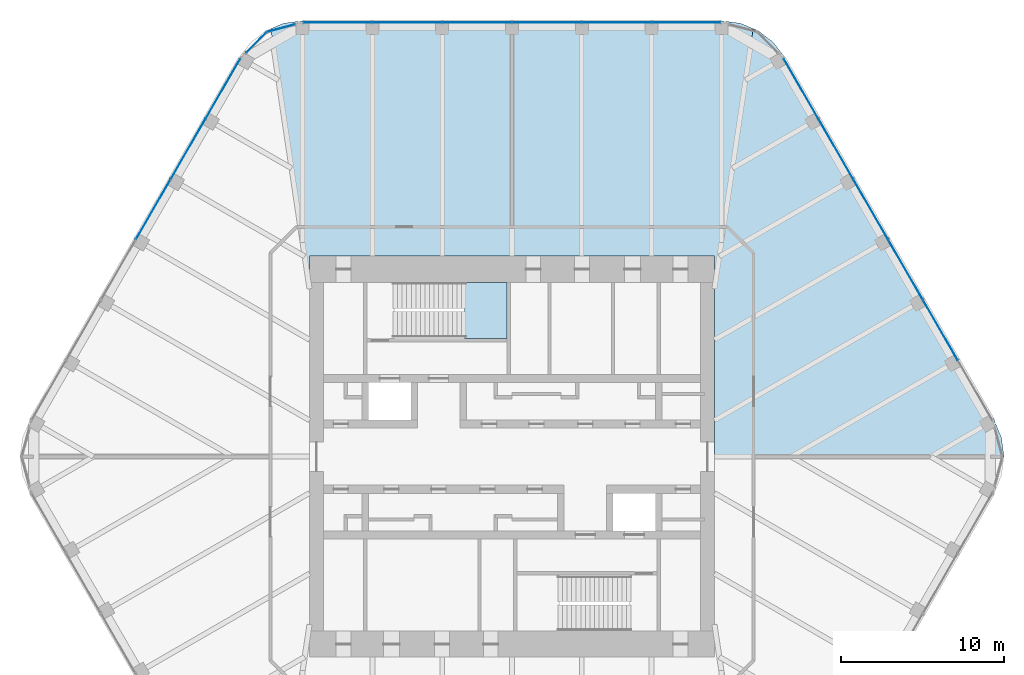
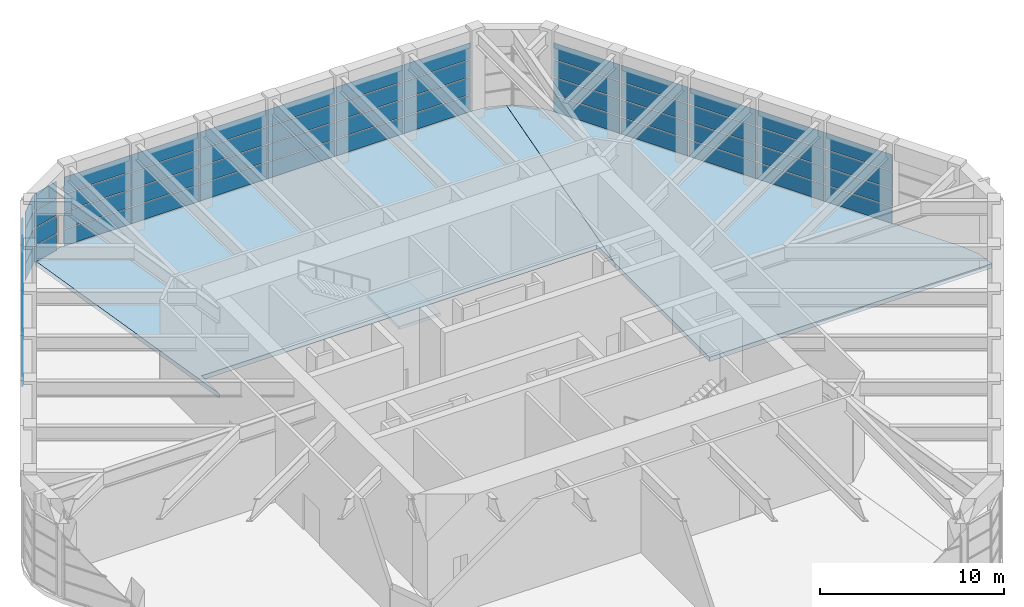
# One storey, part 12 of 16: 62 plates, 3 slabs, 6 elements without a shape of their own.
"""IFC4 building model written with IfcOpenShell, lengths in metres."""

from ifc_helpers import new_model, si_unit, direction, frame, origin, origin_2d, place, context, subcontext, project, spatial, polyline, rectangle, outline, extrude, material, layer, layer_set, type_object, element, aggregate, save


model = new_model("IFC4")

# Units and contexts
model_context = context("Model", 3, precision=1e-05, world=origin(), true_north=direction((0.0, 1.0)))
body_context = subcontext(model_context, "Body", "Model", "MODEL_VIEW")
ifc_project = project(units=[si_unit("LENGTHUNIT", "METRE"), si_unit("AREAUNIT", "SQUARE_METRE"), si_unit("VOLUMEUNIT", "CUBIC_METRE"), si_unit("PLANEANGLEUNIT", "RADIAN"), si_unit("MASSUNIT", "GRAM", prefix="KILO")], contexts=[model_context])

# Site, building, storey
site_placement = place(None, origin())
site = spatial("IfcSite", under=ifc_project, at=site_placement, CompositionType="ELEMENT")
building_placement = place(site_placement, origin())
building = spatial("IfcBuilding", under=site, at=building_placement, Name="Tarfa Lantern Tower", CompositionType="ELEMENT")
storey_placement = place(building_placement, frame((0.0, 0.0, 396.300048828125)))
storey = spatial("IfcBuildingStorey", under=building, at=storey_placement, Name="L90", CompositionType="ELEMENT", Elevation=396.300048828125)

# Curtain wall, plates
ifc_material_1 = material(Name="Aluminium framed curtain wall", Category="aluminium")
curtain_wall_type = type_object("IfcCurtainWallType", Name="CW8 LANTERN GLAZING 4700", PredefinedType="USERDEFINED", material=ifc_material_1)
curtain_wall_1_placement = place(storey_placement, origin())
curtain_wall_1 = element("IfcCurtainWall", 1, at=curtain_wall_1_placement, inside=storey, type_object=curtain_wall_type, Name="CW8 NNW1 L90", ObjectType="CURTAIN WALL", PredefinedType="USERDEFINED")
ifc_material_2 = material(Name="Laminated double glazing", Category="glass")
ifc_layer_1 = layer(ifc_material_2, 0.028076171875)
ifc_layer_set_1 = layer_set([ifc_layer_1], Name="CWP1 DOUBLE GLAZED PANEL")
plate_type = type_object("IfcPlateType", Name="CWP1 DOUBLE GLAZED PANEL", PredefinedType="CURTAIN_PANEL", material=ifc_layer_set_1)
plate_1_placement = place(storey_placement, frame((-14.158935546875, 26.298095703125, 0.06494140625), z_axis=(0.0, 0.0, 1.0), x_axis=(-0.965925850804, -0.258818953611, 0.0)))
plate_1 = element("IfcPlate", 2, at=plate_1_placement, type_object=plate_type, Name="CW8 panel 1.1", PredefinedType="CURTAIN_PANEL", context=body_context, shape_type="SweptSolid", body=[
    extrude(rectangle(XDim=1.706787109375, YDim=0.028076171875, at=origin_2d()), origin(), (0.0, 0.0, 1.0), 1.077392578125),
])
plate_2_placement = place(storey_placement, frame((-14.158935546875, 26.298095703125, 1.20751953125), z_axis=(0.0, 0.0, 1.0), x_axis=(-0.965925850804, -0.258818953611, 0.0)))
plate_2 = element("IfcPlate", 3, at=plate_2_placement, type_object=plate_type, Name="CW8 panel 1.2", PredefinedType="CURTAIN_PANEL", context=body_context, shape_type="SweptSolid", body=[
    extrude(rectangle(XDim=1.706787109375, YDim=0.028076171875, at=origin_2d()), origin(), (0.0, 0.0, 1.0), 1.110107421875),
])
plate_3_placement = place(storey_placement, frame((-14.158935546875, 26.298095703125, 2.38232421875), z_axis=(0.0, 0.0, 1.0), x_axis=(-0.965925850804, -0.258818953611, 0.0)))
plate_3 = element("IfcPlate", 4, at=plate_3_placement, type_object=plate_type, Name="CW8 panel 1.3", PredefinedType="CURTAIN_PANEL", context=body_context, shape_type="SweptSolid", body=[
    extrude(rectangle(XDim=1.706787109375, YDim=0.028076171875, at=origin_2d()), origin(), (0.0, 0.0, 1.0), 1.110107421875),
])
plate_4_placement = place(storey_placement, frame((-14.158935546875, 26.298095703125, 3.5576171875), z_axis=(0.0, 0.0, 1.0), x_axis=(-0.965925850804, -0.258818953611, 0.0)))
plate_4 = element("IfcPlate", 5, at=plate_4_placement, type_object=plate_type, Name="CW8 panel 1.4", PredefinedType="CURTAIN_PANEL", context=body_context, shape_type="SweptSolid", body=[
    extrude(rectangle(XDim=1.706787109375, YDim=0.028076171875, at=origin_2d()), origin(), (0.0, 0.0, 1.0), 1.077392578125),
])
aggregate(curtain_wall_1, [plate_1, plate_2, plate_3, plate_4])

curtain_wall_2_placement = place(storey_placement, origin())
curtain_wall_2 = element("IfcCurtainWall", 6, at=curtain_wall_2_placement, inside=storey, type_object=curtain_wall_type, Name="CW8 NNW2 L90", ObjectType="CURTAIN WALL", PredefinedType="USERDEFINED")
plate_5_placement = place(storey_placement, frame((-15.6953125, 25.4111328125, 0.06494140625), z_axis=(0.0, 0.0, 1.0), x_axis=(-0.707106781187, -0.707106781187, 0.0)))
plate_5 = element("IfcPlate", 7, at=plate_5_placement, type_object=plate_type, Name="CW8 panel 1.1", PredefinedType="CURTAIN_PANEL", context=body_context, shape_type="SweptSolid", body=[
    extrude(rectangle(XDim=1.706787109375, YDim=0.028076171875, at=origin_2d()), origin(), (0.0, 0.0, 1.0), 1.077392578125),
])
plate_6_placement = place(storey_placement, frame((-15.6953125, 25.4111328125, 1.20751953125), z_axis=(0.0, 0.0, 1.0), x_axis=(-0.707106781187, -0.707106781187, 0.0)))
plate_6 = element("IfcPlate", 8, at=plate_6_placement, type_object=plate_type, Name="CW8 panel 1.2", PredefinedType="CURTAIN_PANEL", context=body_context, shape_type="SweptSolid", body=[
    extrude(rectangle(XDim=1.706787109375, YDim=0.028076171875, at=origin_2d()), origin(), (0.0, 0.0, 1.0), 1.110107421875),
])
plate_7_placement = place(storey_placement, frame((-15.6953125, 25.4111328125, 2.38232421875), z_axis=(0.0, 0.0, 1.0), x_axis=(-0.707106781187, -0.707106781187, 0.0)))
plate_7 = element("IfcPlate", 9, at=plate_7_placement, type_object=plate_type, Name="CW8 panel 1.3", PredefinedType="CURTAIN_PANEL", context=body_context, shape_type="SweptSolid", body=[
    extrude(rectangle(XDim=1.706787109375, YDim=0.028076171875, at=origin_2d()), origin(), (0.0, 0.0, 1.0), 1.110107421875),
])
plate_8_placement = place(storey_placement, frame((-15.6953125, 25.4111328125, 3.5576171875), z_axis=(0.0, 0.0, 1.0), x_axis=(-0.707106781187, -0.707106781187, 0.0)))
plate_8 = element("IfcPlate", 10, at=plate_8_placement, type_object=plate_type, Name="CW8 panel 1.4", PredefinedType="CURTAIN_PANEL", context=body_context, shape_type="SweptSolid", body=[
    extrude(rectangle(XDim=1.706787109375, YDim=0.028076171875, at=origin_2d()), origin(), (0.0, 0.0, 1.0), 1.077392578125),
])
aggregate(curtain_wall_2, [plate_5, plate_6, plate_7, plate_8])

curtain_wall_3_placement = place(storey_placement, origin())
curtain_wall_3 = element("IfcCurtainWall", 11, at=curtain_wall_3_placement, inside=storey, type_object=curtain_wall_type, Name="CW8 NE L90", ObjectType="CURTAIN WALL", PredefinedType="USERDEFINED")
plate_9_placement = place(storey_placement, frame((26.291015625, 7.762451171875, 0.06494140625), z_axis=(0.0, 0.0, 1.0), x_axis=(-0.5, 0.866025403784, 0.0)))
plate_9 = element("IfcPlate", 12, at=plate_9_placement, type_object=plate_type, Name="CW8 panel 2.1", PredefinedType="CURTAIN_PANEL", context=body_context, shape_type="SweptSolid", body=[
    extrude(rectangle(XDim=4.217041015625, YDim=0.028076171875, at=origin_2d()), origin(), (0.0, 0.0, 1.0), 1.077392578125),
])
plate_10_placement = place(storey_placement, frame((26.291015625, 7.762451171875, 1.20751953125), z_axis=(0.0, 0.0, 1.0), x_axis=(-0.5, 0.866025403784, 0.0)))
plate_10 = element("IfcPlate", 13, at=plate_10_placement, type_object=plate_type, Name="CW8 panel 2.2", PredefinedType="CURTAIN_PANEL", context=body_context, shape_type="SweptSolid", body=[
    extrude(rectangle(XDim=4.217041015625, YDim=0.028076171875, at=origin_2d()), origin(), (0.0, 0.0, 1.0), 1.110107421875),
])
plate_11_placement = place(storey_placement, frame((26.291015625, 7.762451171875, 2.38232421875), z_axis=(0.0, 0.0, 1.0), x_axis=(-0.5, 0.866025403784, 0.0)))
plate_11 = element("IfcPlate", 14, at=plate_11_placement, type_object=plate_type, Name="CW8 panel 2.3", PredefinedType="CURTAIN_PANEL", context=body_context, shape_type="SweptSolid", body=[
    extrude(rectangle(XDim=4.217041015625, YDim=0.028076171875, at=origin_2d()), origin(), (0.0, 0.0, 1.0), 1.110107421875),
])
plate_12_placement = place(storey_placement, frame((26.291015625, 7.762451171875, 3.5576171875), z_axis=(0.0, 0.0, 1.0), x_axis=(-0.5, 0.866025403784, 0.0)))
plate_12 = element("IfcPlate", 15, at=plate_12_placement, type_object=plate_type, Name="CW8 panel 2.4", PredefinedType="CURTAIN_PANEL", context=body_context, shape_type="SweptSolid", body=[
    extrude(rectangle(XDim=4.217041015625, YDim=0.028076171875, at=origin_2d()), origin(), (0.0, 0.0, 1.0), 1.077392578125),
])
plate_13_placement = place(storey_placement, frame((24.150146484375, 11.470947265625, 0.06494140625), z_axis=(0.0, 0.0, 1.0), x_axis=(-0.5, 0.866025403784, 0.0)))
plate_13 = element("IfcPlate", 16, at=plate_13_placement, type_object=plate_type, Name="CW8 panel 3.1", PredefinedType="CURTAIN_PANEL", context=body_context, shape_type="SweptSolid", body=[
    extrude(rectangle(XDim=4.217041015625, YDim=0.028076171875, at=origin_2d()), origin(), (0.0, 0.0, 1.0), 1.077392578125),
])
plate_14_placement = place(storey_placement, frame((24.150146484375, 11.470947265625, 1.20751953125), z_axis=(0.0, 0.0, 1.0), x_axis=(-0.5, 0.866025403784, 0.0)))
plate_14 = element("IfcPlate", 17, at=plate_14_placement, type_object=plate_type, Name="CW8 panel 3.2", PredefinedType="CURTAIN_PANEL", context=body_context, shape_type="SweptSolid", body=[
    extrude(rectangle(XDim=4.217041015625, YDim=0.028076171875, at=origin_2d()), origin(), (0.0, 0.0, 1.0), 1.110107421875),
])
plate_15_placement = place(storey_placement, frame((24.150146484375, 11.470947265625, 2.38232421875), z_axis=(0.0, 0.0, 1.0), x_axis=(-0.5, 0.866025403784, 0.0)))
plate_15 = element("IfcPlate", 18, at=plate_15_placement, type_object=plate_type, Name="CW8 panel 3.3", PredefinedType="CURTAIN_PANEL", context=body_context, shape_type="SweptSolid", body=[
    extrude(rectangle(XDim=4.217041015625, YDim=0.028076171875, at=origin_2d()), origin(), (0.0, 0.0, 1.0), 1.110107421875),
])
plate_16_placement = place(storey_placement, frame((24.150146484375, 11.470947265625, 3.5576171875), z_axis=(0.0, 0.0, 1.0), x_axis=(-0.5, 0.866025403784, 0.0)))
plate_16 = element("IfcPlate", 19, at=plate_16_placement, type_object=plate_type, Name="CW8 panel 3.4", PredefinedType="CURTAIN_PANEL", context=body_context, shape_type="SweptSolid", body=[
    extrude(rectangle(XDim=4.217041015625, YDim=0.028076171875, at=origin_2d()), origin(), (0.0, 0.0, 1.0), 1.077392578125),
])
plate_17_placement = place(storey_placement, frame((22.009033203125, 15.17919921875, 0.06494140625), z_axis=(0.0, 0.0, 1.0), x_axis=(-0.5, 0.866025403784, 0.0)))
plate_17 = element("IfcPlate", 20, at=plate_17_placement, type_object=plate_type, Name="CW8 panel 4.1", PredefinedType="CURTAIN_PANEL", context=body_context, shape_type="SweptSolid", body=[
    extrude(rectangle(XDim=4.217041015625, YDim=0.028076171875, at=origin_2d()), origin(), (0.0, 0.0, 1.0), 1.077392578125),
])
plate_18_placement = place(storey_placement, frame((22.009033203125, 15.17919921875, 1.20751953125), z_axis=(0.0, 0.0, 1.0), x_axis=(-0.5, 0.866025403784, 0.0)))
plate_18 = element("IfcPlate", 21, at=plate_18_placement, type_object=plate_type, Name="CW8 panel 4.2", PredefinedType="CURTAIN_PANEL", context=body_context, shape_type="SweptSolid", body=[
    extrude(rectangle(XDim=4.217041015625, YDim=0.028076171875, at=origin_2d()), origin(), (0.0, 0.0, 1.0), 1.110107421875),
])
plate_19_placement = place(storey_placement, frame((22.009033203125, 15.17919921875, 2.38232421875), z_axis=(0.0, 0.0, 1.0), x_axis=(-0.5, 0.866025403784, 0.0)))
plate_19 = element("IfcPlate", 22, at=plate_19_placement, type_object=plate_type, Name="CW8 panel 4.3", PredefinedType="CURTAIN_PANEL", context=body_context, shape_type="SweptSolid", body=[
    extrude(rectangle(XDim=4.217041015625, YDim=0.028076171875, at=origin_2d()), origin(), (0.0, 0.0, 1.0), 1.110107421875),
])
plate_20_placement = place(storey_placement, frame((22.009033203125, 15.17919921875, 3.5576171875), z_axis=(0.0, 0.0, 1.0), x_axis=(-0.5, 0.866025403784, 0.0)))
plate_20 = element("IfcPlate", 23, at=plate_20_placement, type_object=plate_type, Name="CW8 panel 4.4", PredefinedType="CURTAIN_PANEL", context=body_context, shape_type="SweptSolid", body=[
    extrude(rectangle(XDim=4.217041015625, YDim=0.028076171875, at=origin_2d()), origin(), (0.0, 0.0, 1.0), 1.077392578125),
])
plate_21_placement = place(storey_placement, frame((19.8681640625, 18.887451171875, 0.06494140625), z_axis=(0.0, 0.0, 1.0), x_axis=(-0.5, 0.866025403784, 0.0)))
plate_21 = element("IfcPlate", 24, at=plate_21_placement, type_object=plate_type, Name="CW8 panel 5.1", PredefinedType="CURTAIN_PANEL", context=body_context, shape_type="SweptSolid", body=[
    extrude(rectangle(XDim=4.217041015625, YDim=0.028076171875, at=origin_2d()), origin(), (0.0, 0.0, 1.0), 1.077392578125),
])
plate_22_placement = place(storey_placement, frame((19.8681640625, 18.887451171875, 1.20751953125), z_axis=(0.0, 0.0, 1.0), x_axis=(-0.5, 0.866025403784, 0.0)))
plate_22 = element("IfcPlate", 25, at=plate_22_placement, type_object=plate_type, Name="CW8 panel 5.2", PredefinedType="CURTAIN_PANEL", context=body_context, shape_type="SweptSolid", body=[
    extrude(rectangle(XDim=4.217041015625, YDim=0.028076171875, at=origin_2d()), origin(), (0.0, 0.0, 1.0), 1.110107421875),
])
plate_23_placement = place(storey_placement, frame((19.8681640625, 18.887451171875, 2.38232421875), z_axis=(0.0, 0.0, 1.0), x_axis=(-0.5, 0.866025403784, 0.0)))
plate_23 = element("IfcPlate", 26, at=plate_23_placement, type_object=plate_type, Name="CW8 panel 5.3", PredefinedType="CURTAIN_PANEL", context=body_context, shape_type="SweptSolid", body=[
    extrude(rectangle(XDim=4.217041015625, YDim=0.028076171875, at=origin_2d()), origin(), (0.0, 0.0, 1.0), 1.110107421875),
])
plate_24_placement = place(storey_placement, frame((19.8681640625, 18.887451171875, 3.5576171875), z_axis=(0.0, 0.0, 1.0), x_axis=(-0.5, 0.866025403784, 0.0)))
plate_24 = element("IfcPlate", 27, at=plate_24_placement, type_object=plate_type, Name="CW8 panel 5.4", PredefinedType="CURTAIN_PANEL", context=body_context, shape_type="SweptSolid", body=[
    extrude(rectangle(XDim=4.217041015625, YDim=0.028076171875, at=origin_2d()), origin(), (0.0, 0.0, 1.0), 1.077392578125),
])
plate_25_placement = place(storey_placement, frame((17.735107421875, 22.581787109375, 0.06494140625), z_axis=(0.0, 0.0, 1.0), x_axis=(-0.5, 0.866025403784, 0.0)))
plate_25 = element("IfcPlate", 28, at=plate_25_placement, type_object=plate_type, Name="CW8 panel 6.1", PredefinedType="CURTAIN_PANEL", context=body_context, shape_type="SweptSolid", body=[
    extrude(rectangle(XDim=4.1845703125, YDim=0.028076171875, at=origin_2d()), origin(), (0.0, 0.0, 1.0), 1.077392578125),
])
plate_26_placement = place(storey_placement, frame((17.735107421875, 22.581787109375, 1.20751953125), z_axis=(0.0, 0.0, 1.0), x_axis=(-0.5, 0.866025403784, 0.0)))
plate_26 = element("IfcPlate", 29, at=plate_26_placement, type_object=plate_type, Name="CW8 panel 6.2", PredefinedType="CURTAIN_PANEL", context=body_context, shape_type="SweptSolid", body=[
    extrude(rectangle(XDim=4.1845703125, YDim=0.028076171875, at=origin_2d()), origin(), (0.0, 0.0, 1.0), 1.110107421875),
])
plate_27_placement = place(storey_placement, frame((17.735107421875, 22.581787109375, 2.38232421875), z_axis=(0.0, 0.0, 1.0), x_axis=(-0.5, 0.866025403784, 0.0)))
plate_27 = element("IfcPlate", 30, at=plate_27_placement, type_object=plate_type, Name="CW8 panel 6.3", PredefinedType="CURTAIN_PANEL", context=body_context, shape_type="SweptSolid", body=[
    extrude(rectangle(XDim=4.1845703125, YDim=0.028076171875, at=origin_2d()), origin(), (0.0, 0.0, 1.0), 1.110107421875),
])
plate_28_placement = place(storey_placement, frame((17.735107421875, 22.581787109375, 3.5576171875), z_axis=(0.0, 0.0, 1.0), x_axis=(-0.5, 0.866025403784, 0.0)))
plate_28 = element("IfcPlate", 31, at=plate_28_placement, type_object=plate_type, Name="CW8 panel 6.4", PredefinedType="CURTAIN_PANEL", context=body_context, shape_type="SweptSolid", body=[
    extrude(rectangle(XDim=4.1845703125, YDim=0.028076171875, at=origin_2d()), origin(), (0.0, 0.0, 1.0), 1.077392578125),
])
aggregate(curtain_wall_3, [plate_9, plate_10, plate_11, plate_12, plate_13, plate_14, plate_15, plate_16, plate_17, plate_18, plate_19, plate_20, plate_21, plate_22, plate_23, plate_24, plate_25, plate_26, plate_27, plate_28])

curtain_wall_4_placement = place(storey_placement, origin())
curtain_wall_4 = element("IfcCurtainWall", 32, at=curtain_wall_4_placement, inside=storey, type_object=curtain_wall_type, Name="CW8 N L90", ObjectType="CURTAIN WALL", PredefinedType="USERDEFINED")
plate_29_placement = place(storey_placement, frame((10.688720703125, 26.64990234375, 0.06494140625), z_axis=(0.0, 0.0, 1.0), x_axis=(-1.0, 0.0, 0.0)))
plate_29 = element("IfcPlate", 33, at=plate_29_placement, type_object=plate_type, Name="CW8 panel 1.1", PredefinedType="CURTAIN_PANEL", context=body_context, shape_type="SweptSolid", body=[
    extrude(rectangle(XDim=4.1845703125, YDim=0.028076171875, at=origin_2d()), origin(), (0.0, 0.0, 1.0), 1.077392578125),
])
plate_30_placement = place(storey_placement, frame((10.688720703125, 26.64990234375, 1.20751953125), z_axis=(0.0, 0.0, 1.0), x_axis=(-1.0, 0.0, 0.0)))
plate_30 = element("IfcPlate", 34, at=plate_30_placement, type_object=plate_type, Name="CW8 panel 1.2", PredefinedType="CURTAIN_PANEL", context=body_context, shape_type="SweptSolid", body=[
    extrude(rectangle(XDim=4.1845703125, YDim=0.028076171875, at=origin_2d()), origin(), (0.0, 0.0, 1.0), 1.110107421875),
])
plate_31_placement = place(storey_placement, frame((10.688720703125, 26.64990234375, 2.38232421875), z_axis=(0.0, 0.0, 1.0), x_axis=(-1.0, 0.0, 0.0)))
plate_31 = element("IfcPlate", 35, at=plate_31_placement, type_object=plate_type, Name="CW8 panel 1.3", PredefinedType="CURTAIN_PANEL", context=body_context, shape_type="SweptSolid", body=[
    extrude(rectangle(XDim=4.1845703125, YDim=0.028076171875, at=origin_2d()), origin(), (0.0, 0.0, 1.0), 1.110107421875),
])
plate_32_placement = place(storey_placement, frame((10.688720703125, 26.64990234375, 3.5576171875), z_axis=(0.0, 0.0, 1.0), x_axis=(-1.0, 0.0, 0.0)))
plate_32 = element("IfcPlate", 36, at=plate_32_placement, type_object=plate_type, Name="CW8 panel 1.4", PredefinedType="CURTAIN_PANEL", context=body_context, shape_type="SweptSolid", body=[
    extrude(rectangle(XDim=4.1845703125, YDim=0.028076171875, at=origin_2d()), origin(), (0.0, 0.0, 1.0), 1.077392578125),
])
plate_33_placement = place(storey_placement, frame((6.423095703125, 26.64990234375, 0.06494140625), z_axis=(0.0, 0.0, 1.0), x_axis=(-1.0, 0.0, 0.0)))
plate_33 = element("IfcPlate", 37, at=plate_33_placement, type_object=plate_type, Name="CW8 panel 2.1", PredefinedType="CURTAIN_PANEL", context=body_context, shape_type="SweptSolid", body=[
    extrude(rectangle(XDim=4.217041015625, YDim=0.028076171875, at=origin_2d()), origin(), (0.0, 0.0, 1.0), 1.077392578125),
])
plate_34_placement = place(storey_placement, frame((6.423095703125, 26.64990234375, 1.20751953125), z_axis=(0.0, 0.0, 1.0), x_axis=(-1.0, 0.0, 0.0)))
plate_34 = element("IfcPlate", 38, at=plate_34_placement, type_object=plate_type, Name="CW8 panel 2.2", PredefinedType="CURTAIN_PANEL", context=body_context, shape_type="SweptSolid", body=[
    extrude(rectangle(XDim=4.217041015625, YDim=0.028076171875, at=origin_2d()), origin(), (0.0, 0.0, 1.0), 1.110107421875),
])
plate_35_placement = place(storey_placement, frame((6.423095703125, 26.64990234375, 2.38232421875), z_axis=(0.0, 0.0, 1.0), x_axis=(-1.0, 0.0, 0.0)))
plate_35 = element("IfcPlate", 39, at=plate_35_placement, type_object=plate_type, Name="CW8 panel 2.3", PredefinedType="CURTAIN_PANEL", context=body_context, shape_type="SweptSolid", body=[
    extrude(rectangle(XDim=4.217041015625, YDim=0.028076171875, at=origin_2d()), origin(), (0.0, 0.0, 1.0), 1.110107421875),
])
plate_36_placement = place(storey_placement, frame((6.423095703125, 26.64990234375, 3.5576171875), z_axis=(0.0, 0.0, 1.0), x_axis=(-1.0, 0.0, 0.0)))
plate_36 = element("IfcPlate", 40, at=plate_36_placement, type_object=plate_type, Name="CW8 panel 2.4", PredefinedType="CURTAIN_PANEL", context=body_context, shape_type="SweptSolid", body=[
    extrude(rectangle(XDim=4.217041015625, YDim=0.028076171875, at=origin_2d()), origin(), (0.0, 0.0, 1.0), 1.077392578125),
])
plate_37_placement = place(storey_placement, frame((2.14111328125, 26.64990234375, 0.06494140625), z_axis=(0.0, 0.0, 1.0), x_axis=(-1.0, 0.0, 0.0)))
plate_37 = element("IfcPlate", 41, at=plate_37_placement, type_object=plate_type, Name="CW8 panel 3.1", PredefinedType="CURTAIN_PANEL", context=body_context, shape_type="SweptSolid", body=[
    extrude(rectangle(XDim=4.217041015625, YDim=0.028076171875, at=origin_2d()), origin(), (0.0, 0.0, 1.0), 1.077392578125),
])
plate_38_placement = place(storey_placement, frame((2.14111328125, 26.64990234375, 1.20751953125), z_axis=(0.0, 0.0, 1.0), x_axis=(-1.0, 0.0, 0.0)))
plate_38 = element("IfcPlate", 42, at=plate_38_placement, type_object=plate_type, Name="CW8 panel 3.2", PredefinedType="CURTAIN_PANEL", context=body_context, shape_type="SweptSolid", body=[
    extrude(rectangle(XDim=4.217041015625, YDim=0.028076171875, at=origin_2d()), origin(), (0.0, 0.0, 1.0), 1.110107421875),
])
plate_39_placement = place(storey_placement, frame((2.14111328125, 26.64990234375, 2.38232421875), z_axis=(0.0, 0.0, 1.0), x_axis=(-1.0, 0.0, 0.0)))
plate_39 = element("IfcPlate", 43, at=plate_39_placement, type_object=plate_type, Name="CW8 panel 3.3", PredefinedType="CURTAIN_PANEL", context=body_context, shape_type="SweptSolid", body=[
    extrude(rectangle(XDim=4.217041015625, YDim=0.028076171875, at=origin_2d()), origin(), (0.0, 0.0, 1.0), 1.110107421875),
])
plate_40_placement = place(storey_placement, frame((2.14111328125, 26.64990234375, 3.5576171875), z_axis=(0.0, 0.0, 1.0), x_axis=(-1.0, 0.0, 0.0)))
plate_40 = element("IfcPlate", 44, at=plate_40_placement, type_object=plate_type, Name="CW8 panel 3.4", PredefinedType="CURTAIN_PANEL", context=body_context, shape_type="SweptSolid", body=[
    extrude(rectangle(XDim=4.217041015625, YDim=0.028076171875, at=origin_2d()), origin(), (0.0, 0.0, 1.0), 1.077392578125),
])
plate_41_placement = place(storey_placement, frame((-2.14111328125, 26.64990234375, 0.06494140625), z_axis=(0.0, 0.0, 1.0), x_axis=(-1.0, 0.0, 0.0)))
plate_41 = element("IfcPlate", 45, at=plate_41_placement, type_object=plate_type, Name="CW8 panel 4.1", PredefinedType="CURTAIN_PANEL", context=body_context, shape_type="SweptSolid", body=[
    extrude(rectangle(XDim=4.217041015625, YDim=0.028076171875, at=origin_2d()), origin(), (0.0, 0.0, 1.0), 1.077392578125),
])
plate_42_placement = place(storey_placement, frame((-2.14111328125, 26.64990234375, 1.20751953125), z_axis=(0.0, 0.0, 1.0), x_axis=(-1.0, 0.0, 0.0)))
plate_42 = element("IfcPlate", 46, at=plate_42_placement, type_object=plate_type, Name="CW8 panel 4.2", PredefinedType="CURTAIN_PANEL", context=body_context, shape_type="SweptSolid", body=[
    extrude(rectangle(XDim=4.217041015625, YDim=0.028076171875, at=origin_2d()), origin(), (0.0, 0.0, 1.0), 1.110107421875),
])
plate_43_placement = place(storey_placement, frame((-2.14111328125, 26.64990234375, 2.38232421875), z_axis=(0.0, 0.0, 1.0), x_axis=(-1.0, 0.0, 0.0)))
plate_43 = element("IfcPlate", 47, at=plate_43_placement, type_object=plate_type, Name="CW8 panel 4.3", PredefinedType="CURTAIN_PANEL", context=body_context, shape_type="SweptSolid", body=[
    extrude(rectangle(XDim=4.217041015625, YDim=0.028076171875, at=origin_2d()), origin(), (0.0, 0.0, 1.0), 1.110107421875),
])
plate_44_placement = place(storey_placement, frame((-2.14111328125, 26.64990234375, 3.5576171875), z_axis=(0.0, 0.0, 1.0), x_axis=(-1.0, 0.0, 0.0)))
plate_44 = element("IfcPlate", 48, at=plate_44_placement, type_object=plate_type, Name="CW8 panel 4.4", PredefinedType="CURTAIN_PANEL", context=body_context, shape_type="SweptSolid", body=[
    extrude(rectangle(XDim=4.217041015625, YDim=0.028076171875, at=origin_2d()), origin(), (0.0, 0.0, 1.0), 1.077392578125),
])
plate_45_placement = place(storey_placement, frame((-6.423095703125, 26.64990234375, 0.06494140625), z_axis=(0.0, 0.0, 1.0), x_axis=(-1.0, 0.0, 0.0)))
plate_45 = element("IfcPlate", 49, at=plate_45_placement, type_object=plate_type, Name="CW8 panel 5.1", PredefinedType="CURTAIN_PANEL", context=body_context, shape_type="SweptSolid", body=[
    extrude(rectangle(XDim=4.217041015625, YDim=0.028076171875, at=origin_2d()), origin(), (0.0, 0.0, 1.0), 1.077392578125),
])
plate_46_placement = place(storey_placement, frame((-6.423095703125, 26.64990234375, 1.20751953125), z_axis=(0.0, 0.0, 1.0), x_axis=(-1.0, 0.0, 0.0)))
plate_46 = element("IfcPlate", 50, at=plate_46_placement, type_object=plate_type, Name="CW8 panel 5.2", PredefinedType="CURTAIN_PANEL", context=body_context, shape_type="SweptSolid", body=[
    extrude(rectangle(XDim=4.217041015625, YDim=0.028076171875, at=origin_2d()), origin(), (0.0, 0.0, 1.0), 1.110107421875),
])
plate_47_placement = place(storey_placement, frame((-6.423095703125, 26.64990234375, 2.38232421875), z_axis=(0.0, 0.0, 1.0), x_axis=(-1.0, 0.0, 0.0)))
plate_47 = element("IfcPlate", 51, at=plate_47_placement, type_object=plate_type, Name="CW8 panel 5.3", PredefinedType="CURTAIN_PANEL", context=body_context, shape_type="SweptSolid", body=[
    extrude(rectangle(XDim=4.217041015625, YDim=0.028076171875, at=origin_2d()), origin(), (0.0, 0.0, 1.0), 1.110107421875),
])
plate_48_placement = place(storey_placement, frame((-6.423095703125, 26.64990234375, 3.5576171875), z_axis=(0.0, 0.0, 1.0), x_axis=(-1.0, 0.0, 0.0)))
plate_48 = element("IfcPlate", 52, at=plate_48_placement, type_object=plate_type, Name="CW8 panel 5.4", PredefinedType="CURTAIN_PANEL", context=body_context, shape_type="SweptSolid", body=[
    extrude(rectangle(XDim=4.217041015625, YDim=0.028076171875, at=origin_2d()), origin(), (0.0, 0.0, 1.0), 1.077392578125),
])
plate_49_placement = place(storey_placement, frame((-10.688720703125, 26.64990234375, 0.06494140625), z_axis=(0.0, 0.0, 1.0), x_axis=(-1.0, 0.0, 0.0)))
plate_49 = element("IfcPlate", 53, at=plate_49_placement, type_object=plate_type, Name="CW8 panel 6.1", PredefinedType="CURTAIN_PANEL", context=body_context, shape_type="SweptSolid", body=[
    extrude(rectangle(XDim=4.1845703125, YDim=0.028076171875, at=origin_2d()), origin(), (0.0, 0.0, 1.0), 1.077392578125),
])
plate_50_placement = place(storey_placement, frame((-10.688720703125, 26.64990234375, 1.20751953125), z_axis=(0.0, 0.0, 1.0), x_axis=(-1.0, 0.0, 0.0)))
plate_50 = element("IfcPlate", 54, at=plate_50_placement, type_object=plate_type, Name="CW8 panel 6.2", PredefinedType="CURTAIN_PANEL", context=body_context, shape_type="SweptSolid", body=[
    extrude(rectangle(XDim=4.1845703125, YDim=0.028076171875, at=origin_2d()), origin(), (0.0, 0.0, 1.0), 1.110107421875),
])
plate_51_placement = place(storey_placement, frame((-10.688720703125, 26.64990234375, 2.38232421875), z_axis=(0.0, 0.0, 1.0), x_axis=(-1.0, 0.0, 0.0)))
plate_51 = element("IfcPlate", 55, at=plate_51_placement, type_object=plate_type, Name="CW8 panel 6.3", PredefinedType="CURTAIN_PANEL", context=body_context, shape_type="SweptSolid", body=[
    extrude(rectangle(XDim=4.1845703125, YDim=0.028076171875, at=origin_2d()), origin(), (0.0, 0.0, 1.0), 1.110107421875),
])
plate_52_placement = place(storey_placement, frame((-10.688720703125, 26.64990234375, 3.5576171875), z_axis=(0.0, 0.0, 1.0), x_axis=(-1.0, 0.0, 0.0)))
plate_52 = element("IfcPlate", 56, at=plate_52_placement, type_object=plate_type, Name="CW8 panel 6.4", PredefinedType="CURTAIN_PANEL", context=body_context, shape_type="SweptSolid", body=[
    extrude(rectangle(XDim=4.1845703125, YDim=0.028076171875, at=origin_2d()), origin(), (0.0, 0.0, 1.0), 1.077392578125),
])
aggregate(curtain_wall_4, [plate_29, plate_30, plate_31, plate_32, plate_33, plate_34, plate_35, plate_36, plate_37, plate_38, plate_39, plate_40, plate_41, plate_42, plate_43, plate_44, plate_45, plate_46, plate_47, plate_48, plate_49, plate_50, plate_51, plate_52])

curtain_wall_5_placement = place(storey_placement, origin())
curtain_wall_5 = element("IfcCurtainWall", 57, at=curtain_wall_5_placement, inside=storey, type_object=curtain_wall_type, Name="CW8 NW L90", ObjectType="CURTAIN WALL", PredefinedType="USERDEFINED")
plate_53_placement = place(storey_placement, frame((-17.735107421875, 22.581787109375, 0.06494140625), z_axis=(0.0, 0.0, 1.0), x_axis=(-0.5, -0.866025403784, 0.0)))
plate_53 = element("IfcPlate", 58, at=plate_53_placement, type_object=plate_type, Name="CW8 panel 1.1", PredefinedType="CURTAIN_PANEL", context=body_context, shape_type="SweptSolid", body=[
    extrude(rectangle(XDim=4.1845703125, YDim=0.028076171875, at=origin_2d()), origin(), (0.0, 0.0, 1.0), 1.077392578125),
])
plate_54_placement = place(storey_placement, frame((-17.735107421875, 22.581787109375, 1.20751953125), z_axis=(0.0, 0.0, 1.0), x_axis=(-0.5, -0.866025403784, 0.0)))
plate_54 = element("IfcPlate", 59, at=plate_54_placement, type_object=plate_type, Name="CW8 panel 1.2", PredefinedType="CURTAIN_PANEL", context=body_context, shape_type="SweptSolid", body=[
    extrude(rectangle(XDim=4.1845703125, YDim=0.028076171875, at=origin_2d()), origin(), (0.0, 0.0, 1.0), 1.110107421875),
])
plate_55_placement = place(storey_placement, frame((-17.735107421875, 22.581787109375, 2.38232421875), z_axis=(0.0, 0.0, 1.0), x_axis=(-0.5, -0.866025403784, 0.0)))
plate_55 = element("IfcPlate", 60, at=plate_55_placement, type_object=plate_type, Name="CW8 panel 1.3", PredefinedType="CURTAIN_PANEL", context=body_context, shape_type="SweptSolid", body=[
    extrude(rectangle(XDim=4.1845703125, YDim=0.028076171875, at=origin_2d()), origin(), (0.0, 0.0, 1.0), 1.110107421875),
])
plate_56_placement = place(storey_placement, frame((-17.735107421875, 22.581787109375, 3.5576171875), z_axis=(0.0, 0.0, 1.0), x_axis=(-0.5, -0.866025403784, 0.0)))
plate_56 = element("IfcPlate", 61, at=plate_56_placement, type_object=plate_type, Name="CW8 panel 1.4", PredefinedType="CURTAIN_PANEL", context=body_context, shape_type="SweptSolid", body=[
    extrude(rectangle(XDim=4.1845703125, YDim=0.028076171875, at=origin_2d()), origin(), (0.0, 0.0, 1.0), 1.077392578125),
])
plate_57_placement = place(storey_placement, frame((-19.8681640625, 18.887451171875, 0.06494140625), z_axis=(0.0, 0.0, 1.0), x_axis=(-0.5, -0.866025403784, 0.0)))
plate_57 = element("IfcPlate", 62, at=plate_57_placement, type_object=plate_type, Name="CW8 panel 2.1", PredefinedType="CURTAIN_PANEL", context=body_context, shape_type="SweptSolid", body=[
    extrude(rectangle(XDim=4.217041015625, YDim=0.028076171875, at=origin_2d()), origin(), (0.0, 0.0, 1.0), 1.077392578125),
])
plate_58_placement = place(storey_placement, frame((-19.8681640625, 18.887451171875, 1.20751953125), z_axis=(0.0, 0.0, 1.0), x_axis=(-0.5, -0.866025403784, 0.0)))
plate_58 = element("IfcPlate", 63, at=plate_58_placement, type_object=plate_type, Name="CW8 panel 2.2", PredefinedType="CURTAIN_PANEL", context=body_context, shape_type="SweptSolid", body=[
    extrude(rectangle(XDim=4.217041015625, YDim=0.028076171875, at=origin_2d()), origin(), (0.0, 0.0, 1.0), 1.110107421875),
])
plate_59_placement = place(storey_placement, frame((-19.8681640625, 18.887451171875, 2.38232421875), z_axis=(0.0, 0.0, 1.0), x_axis=(-0.5, -0.866025403784, 0.0)))
plate_59 = element("IfcPlate", 64, at=plate_59_placement, type_object=plate_type, Name="CW8 panel 2.3", PredefinedType="CURTAIN_PANEL", context=body_context, shape_type="SweptSolid", body=[
    extrude(rectangle(XDim=4.217041015625, YDim=0.028076171875, at=origin_2d()), origin(), (0.0, 0.0, 1.0), 1.110107421875),
])
plate_60_placement = place(storey_placement, frame((-19.8681640625, 18.887451171875, 3.5576171875), z_axis=(0.0, 0.0, 1.0), x_axis=(-0.5, -0.866025403784, 0.0)))
plate_60 = element("IfcPlate", 65, at=plate_60_placement, type_object=plate_type, Name="CW8 panel 2.4", PredefinedType="CURTAIN_PANEL", context=body_context, shape_type="SweptSolid", body=[
    extrude(rectangle(XDim=4.217041015625, YDim=0.028076171875, at=origin_2d()), origin(), (0.0, 0.0, 1.0), 1.077392578125),
])
plate_61_placement = place(storey_placement, frame((-22.009033203125, 15.17919921875, 2.38232421875), z_axis=(0.0, 0.0, 1.0), x_axis=(-0.5, -0.866025403784, 0.0)))
plate_61 = element("IfcPlate", 66, at=plate_61_placement, type_object=plate_type, Name="CW8 panel 3.3", PredefinedType="CURTAIN_PANEL", context=body_context, shape_type="SweptSolid", body=[
    extrude(rectangle(XDim=4.217041015625, YDim=0.028076171875, at=origin_2d()), origin(), (0.0, 0.0, 1.0), 1.110107421875),
])
plate_62_placement = place(storey_placement, frame((-22.009033203125, 15.17919921875, 3.5576171875), z_axis=(0.0, 0.0, 1.0), x_axis=(-0.5, -0.866025403784, 0.0)))
plate_62 = element("IfcPlate", 67, at=plate_62_placement, type_object=plate_type, Name="CW8 panel 3.4", PredefinedType="CURTAIN_PANEL", context=body_context, shape_type="SweptSolid", body=[
    extrude(rectangle(XDim=4.217041015625, YDim=0.028076171875, at=origin_2d()), origin(), (0.0, 0.0, 1.0), 1.077392578125),
])
aggregate(curtain_wall_5, [plate_53, plate_54, plate_55, plate_56, plate_57, plate_58, plate_59, plate_60, plate_61, plate_62])

# Slabs
ifc_material_3 = material(Name="Concrete C40/50", Category="concrete")
ifc_layer_2 = layer(ifc_material_3, 0.300048828125)
ifc_layer_set_2 = layer_set([ifc_layer_2], Name="FS2 FLOOR SLAB 300")
slab_type_1 = type_object("IfcSlabType", Name="FS2 FLOOR SLAB 300", PredefinedType="FLOOR", material=ifc_layer_set_2)
slab_1_placement = place(storey_placement, frame((0.0, 0.0, -0.300048828125)))
element("IfcSlab", 68, at=slab_1_placement, inside=storey, type_object=slab_type_1, Name="Floor slab L90 NE bay", PredefinedType="FLOOR", context=body_context, shape_type="SweptSolid", body=[
    extrude(outline(polyline([(29.58740234375, 2.2490234375), (16.741455078125, 24.498779296875), (16.026611328125, 25.4306640625), (15.094970703125, 26.145263671875), (14.802001953125, 26.2666015625), (12.427001953125, 10.2998046875), (12.427001953125, 0.001953125), (30.189697265625, 0.001953125), (30.036865234375, 1.1640625), (29.58740234375, 2.2490234375)])), origin(), (0.0, 0.0, 1.0), 0.300048828125),
])
slab_2_placement = place(storey_placement, frame((0.0, 0.0, -0.300048828125)))
element("IfcSlab", 69, at=slab_2_placement, inside=storey, type_object=slab_type_1, Name="Floor slab L90 N bay", PredefinedType="FLOOR", context=body_context, shape_type="SweptSolid", body=[
    extrude(outline(polyline([(-12.427001953125, 10.3271484375), (-12.427001953125, 12.302001953125), (12.427001953125, 12.302001953125), (12.427001953125, 10.3271484375), (14.79833984375, 26.268310546875), (14.01025390625, 26.5947265625), (12.845947265625, 26.748046875), (-12.845947265625, 26.748046875), (-14.01025390625, 26.5947265625), (-14.79833984375, 26.268310546875), (-12.427001953125, 10.3271484375)])), origin(), (0.0, 0.0, 1.0), 0.300048828125),
])

# Stair, slab
stair_type = type_object("IfcStairType", Name="ST-T5 HALF-TURN STAIR 6000 RISE", PredefinedType="HALF_TURN_STAIR", material=ifc_material_3)
stair_placement = place(storey_placement, origin())
stair = element("IfcStair", 70, at=stair_placement, inside=storey, type_object=stair_type, Name="Stair ST1", PredefinedType="HALF_TURN_STAIR")
ifc_layer_3 = layer(ifc_material_3, 0.199951171875)
ifc_layer_set_3 = layer_set([ifc_layer_3], Name="SL1 STAIR LANDING 200")
slab_type_2 = type_object("IfcSlabType", Name="SL1 STAIR LANDING 200", PredefinedType="LANDING", material=ifc_layer_set_3)
slab_3_placement = place(storey_placement, frame((0.0, 0.0, 2.800048828125)))
slab_3 = element("IfcSlab", 71, at=slab_3_placement, type_object=slab_type_2, Name="ST1 landing 1", PredefinedType="LANDING", context=body_context, shape_type="SweptSolid", body=[
    extrude(outline(polyline([(-2.919921875, 7.25), (-0.300048828125, 7.25), (-0.300048828125, 10.699951171875), (-2.919921875, 10.699951171875), (-2.919921875, 7.25)])), origin(), (0.0, 0.0, 1.0), 0.199951171875),
])
aggregate(stair, [slab_3])

save(model, "model.ifc")
